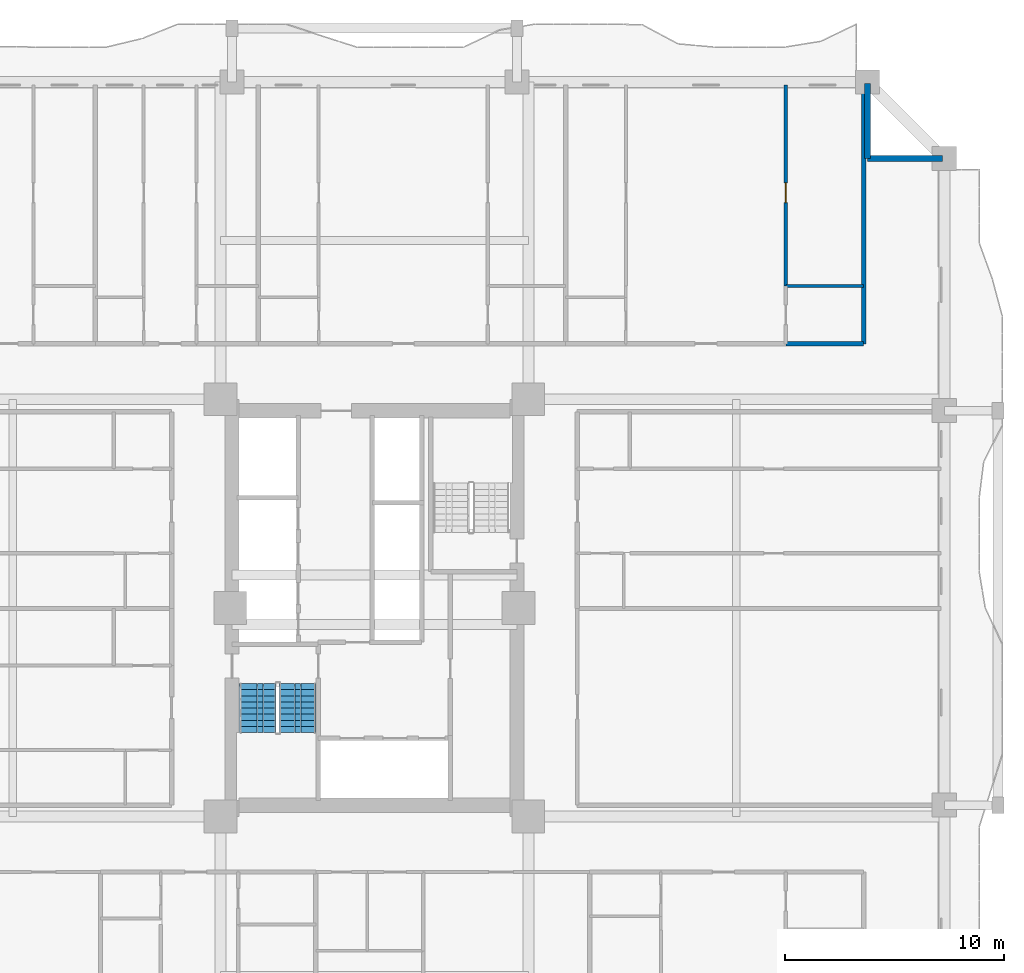
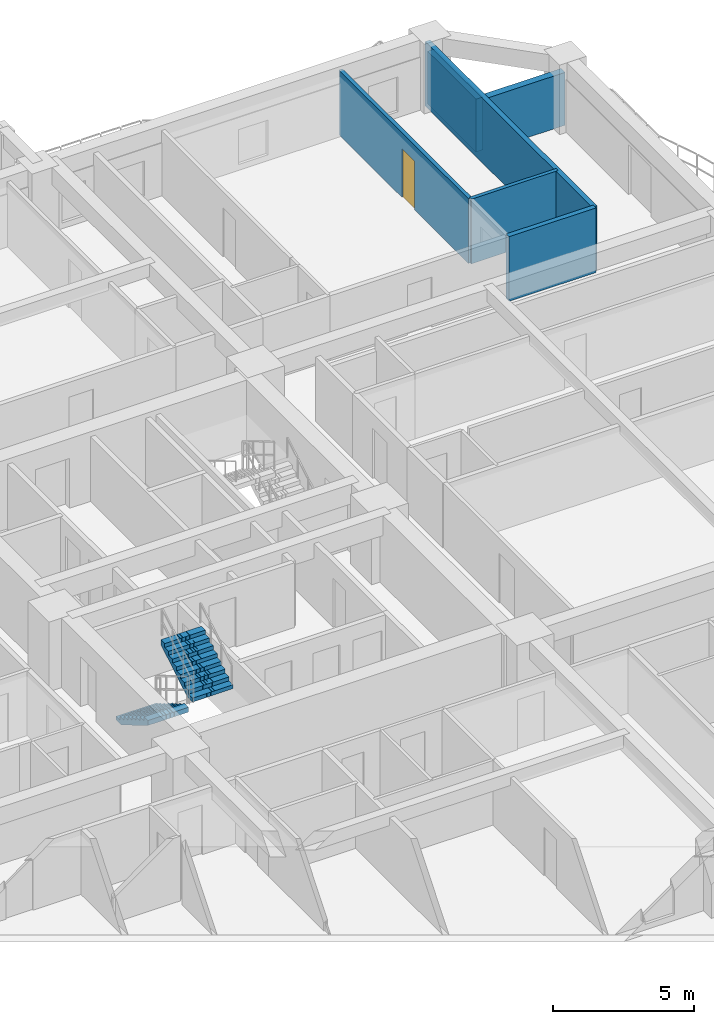
# One storey, part 8 of 15: 6 walls, 2 stair flights, 1 door, 1 opening, 1 element without a shape of its own.
"""IFC4 building model written with IfcOpenShell, lengths in metres."""

import ifcopenshell
import ifcopenshell.guid

model = None  # the IFC model being written
_history = None  # IfcOwnerHistory: only IFC2X3 demands one
_inside = {}  # id of a spatial element -> (the spatial element, [elements in it])
_under = {}  # id of a project, library or spatial element -> (it, [spatial elements below it])
_declared = {}  # id of a project -> (the project, [libraries it declares])
_typed = {}  # id of a type object -> (the type object, [elements of that type])
_made_of = {}  # id of a material, layer set ... -> (it, [elements and type objects made of it])


def new_model(schema):
    """Start an empty IFC model of exactly this schema.

    Asked for "IFC4X3", IfcOpenShell would pick the latest addendum, in which some entities
    have other attributes; the version numbers below select the first issue.
    IFC2X3 requires an IfcOwnerHistory on every rooted entity: one is made here for all.
    """
    global model, _history
    if schema == "IFC4X3":
        model = ifcopenshell.file(schema_version=(4, 3, 0, 0))
    else:
        model = ifcopenshell.file(schema=schema)
    _inside.clear()
    _under.clear()
    _declared.clear()
    _typed.clear()
    _made_of.clear()
    _history = None
    if model.schema == "IFC2X3":
        org = make("IfcOrganization", Name="unknown")
        user = make(
            "IfcPersonAndOrganization",
            ThePerson=make("IfcPerson", FamilyName="unknown"),
            TheOrganization=org,
        )
        app = make(
            "IfcApplication",
            ApplicationDeveloper=org,
            Version="unknown",
            ApplicationFullName="unknown",
            ApplicationIdentifier="unknown",
        )
        _history = make(
            "IfcOwnerHistory",
            OwningUser=user,
            OwningApplication=app,
            ChangeAction="ADDED",
            CreationDate=0,
        )
    return model


def make(cls, **values):
    """One entity of the class cls with the attributes given. An attribute that is None is left unset."""
    return model.create_entity(
        cls, **{name: value for name, value in values.items() if value is not None}
    )


def rooted(cls, **values):
    """An entity with a GlobalId (a new one), such as an element, a storey or a relation."""
    return make(cls, GlobalId=ifcopenshell.guid.new(), OwnerHistory=_history, **values)


def si_unit(unit_type, name, prefix=None):
    """IfcSIUnit, for example si_unit("LENGTHUNIT", "METRE", prefix="MILLI")."""
    return make("IfcSIUnit", UnitType=unit_type, Prefix=prefix, Name=name)


def assignment(units):
    """IfcUnitAssignment: the units of a project."""
    return None if units is None else make("IfcUnitAssignment", Units=units)


def point(xyz):
    """IfcCartesianPoint."""
    return None if xyz is None else make("IfcCartesianPoint", Coordinates=xyz)


def direction(xyz):
    """IfcDirection."""
    return None if xyz is None else make("IfcDirection", DirectionRatios=xyz)


def frame(location, z_axis=None, x_axis=None):
    """IfcAxis2Placement3D, a coordinate frame: its origin and axes. An axis left out is left unset."""
    return make(
        "IfcAxis2Placement3D",
        Location=point(location),
        Axis=direction(z_axis),
        RefDirection=direction(x_axis),
    )


def frame_2d(location, x_axis=None):
    """IfcAxis2Placement2D, a coordinate frame in the plane: its origin and x axis."""
    return make(
        "IfcAxis2Placement2D", Location=point(location), RefDirection=direction(x_axis)
    )


def origin():
    """The frame at (0, 0, 0) with its axes left unset."""
    return frame((0.0, 0.0, 0.0))


def place(relative_to, where):
    """IfcLocalPlacement: puts the frame where relative to a parent placement (None: the world)."""
    return make(
        "IfcLocalPlacement", PlacementRelTo=relative_to, RelativePlacement=where
    )


def context(
    kind, dimensions, precision=None, world=None, true_north=None, identifier=None
):
    """IfcGeometricRepresentationContext, for example the 3D "Model" context."""
    return make(
        "IfcGeometricRepresentationContext",
        ContextIdentifier=identifier,
        ContextType=kind,
        CoordinateSpaceDimension=dimensions,
        Precision=precision,
        WorldCoordinateSystem=world,
        TrueNorth=true_north,
    )


def subcontext(parent, identifier, kind, view, scale=None):
    """IfcGeometricRepresentationSubContext, for example "Body" below "Model"."""
    return make(
        "IfcGeometricRepresentationSubContext",
        ContextIdentifier=identifier,
        ContextType=kind,
        ParentContext=parent,
        TargetScale=scale,
        TargetView=view,
    )


def project(units=None, contexts=None):
    """IfcProject with its units and contexts."""
    return rooted(
        "IfcProject",
        Name="project",
        RepresentationContexts=contexts,
        UnitsInContext=assignment(units),
    )


def spatial(cls, under=None, at=None, **own):
    """A site, building, storey or space (cls), placed at a placement, below another one or the project."""
    s = rooted(cls, ObjectPlacement=at, **own)
    if under is not None:
        _under.setdefault(under.id(), (under, []))[1].append(s)
    return s


def polyline(points):
    """IfcPolyline through the points."""
    return make("IfcPolyline", Points=[point(p) for p in points])


def profile(cls, at=None, kind="AREA", **sizes):
    """A parametric profile (cls). Its sizes go by their IFC names, for example OverallWidth=200.0."""
    return make(cls, ProfileType=kind, Position=at, **sizes)


def rectangle(**sizes):
    """IfcRectangleProfileDef."""
    return profile("IfcRectangleProfileDef", **sizes)


def outline(outer, holes=None, kind="AREA"):
    """IfcArbitraryClosedProfileDef: a profile drawn as a closed curve; with holes, ...WithVoids."""
    if holes is None:
        return make("IfcArbitraryClosedProfileDef", ProfileType=kind, OuterCurve=outer)
    return make(
        "IfcArbitraryProfileDefWithVoids",
        ProfileType=kind,
        OuterCurve=outer,
        InnerCurves=holes,
    )


def extrude(swept, where, along, depth):
    """IfcExtrudedAreaSolid: the profile swept, set in the frame where, extruded along a direction by depth."""
    return make(
        "IfcExtrudedAreaSolid",
        SweptArea=swept,
        Position=where,
        ExtrudedDirection=direction(along),
        Depth=depth,
    )


def shape(context_of_items, identifier, shape_type, items):
    """IfcShapeRepresentation: the items that make up one representation, for example the "Body"."""
    return make(
        "IfcShapeRepresentation",
        ContextOfItems=context_of_items,
        RepresentationIdentifier=identifier,
        RepresentationType=shape_type,
        Items=items,
    )


def source(mapping_origin, context_of_items, identifier, shape_type, items):
    """IfcRepresentationMap: a shape defined once, which mapped items show again and again."""
    return make(
        "IfcRepresentationMap",
        MappingOrigin=mapping_origin,
        MappedRepresentation=shape(context_of_items, identifier, shape_type, items),
    )


def transform(
    local_origin,
    x_axis=None,
    y_axis=None,
    z_axis=None,
    scale=None,
    scale2=None,
    scale3=None,
    uniform=True,
):
    """IfcCartesianTransformationOperator3D, or its non-uniform kind. x_axis, y_axis, z_axis: its Axis1, 2, 3."""
    if uniform:
        return make(
            "IfcCartesianTransformationOperator3D",
            Axis1=direction(x_axis),
            Axis2=direction(y_axis),
            LocalOrigin=point(local_origin),
            Scale=scale,
            Axis3=direction(z_axis),
        )
    return make(
        "IfcCartesianTransformationOperator3DnonUniform",
        Axis1=direction(x_axis),
        Axis2=direction(y_axis),
        LocalOrigin=point(local_origin),
        Scale=scale,
        Axis3=direction(z_axis),
        Scale2=scale2,
        Scale3=scale3,
    )


def mapped(mapping_source, mapping_target):
    """IfcMappedItem: shows the shape of a source again, moved by a transform."""
    return make(
        "IfcMappedItem", MappingSource=mapping_source, MappingTarget=mapping_target
    )


def material(Name=None, Category=None):
    """IfcMaterial."""
    return make("IfcMaterial", Name=Name, Category=Category)


def layer(
    of_material, thickness, ventilated=None, Name=None, Category=None, Priority=None
):
    """IfcMaterialLayer: one layer of a wall or slab, of a material (None: an air gap)."""
    return make(
        "IfcMaterialLayer",
        Material=of_material,
        LayerThickness=thickness,
        IsVentilated=ventilated,
        Name=Name,
        Category=Category,
        Priority=Priority,
    )


def layer_set(layers, Name=None):
    """IfcMaterialLayerSet."""
    return make("IfcMaterialLayerSet", MaterialLayers=layers, LayerSetName=Name)


def made_of(thing, what):
    """Note that an element or type object is made of a material, layer set ...; save() writes the relation."""
    if what is not None:
        _made_of.setdefault(what.id(), (what, []))[1].append(thing)
    return thing


def type_object(cls, material=None, **own):
    """A type object (cls), such as IfcWallType, which elements share."""
    return made_of(rooted(cls, **own), material)


def element(
    cls,
    number,
    at=None,
    inside=None,
    cuts=None,
    type_object=None,
    material=None,
    context=None,
    identifier="Body",
    shape_type=None,
    held_by="IfcProductDefinitionShape",
    body=None,
    shapes=None,
    **own,
):
    """One element of the class cls, such as IfcWall. Its Tag is "e" and its number.

    at: its placement. inside: the storey or other place that contains it. cuts: it is an
    opening in that element (IfcRelVoidsElement). A single representation is given by context,
    identifier, shape_type and body (its items); several are given by shapes. held_by: the class
    of the entity that holds the representations. save() writes the other relations.
    """
    e = rooted(cls, Tag="e%d" % number, ObjectPlacement=at, **own)
    if body is not None:
        shapes = [shape(context, identifier, shape_type, body)]
    if shapes is not None:
        e.Representation = make(held_by, Representations=shapes)
    if inside is not None:
        _inside.setdefault(inside.id(), (inside, []))[1].append(e)
    if cuts is not None:
        rooted(
            "IfcRelVoidsElement", RelatingBuildingElement=cuts, RelatedOpeningElement=e
        )
    if type_object is not None:
        _typed.setdefault(type_object.id(), (type_object, []))[1].append(e)
    return made_of(e, material)


def fill(opening, filler):
    """IfcRelFillsElement: the door or window that sits in an opening."""
    return rooted(
        "IfcRelFillsElement",
        RelatingOpeningElement=opening,
        RelatedBuildingElement=filler,
    )


def aggregate(whole, parts):
    """IfcRelAggregates: a whole, such as a stair, and the parts it consists of."""
    return rooted("IfcRelAggregates", RelatingObject=whole, RelatedObjects=parts)


def save(model, path):
    """Write the relations noted so far, then the file.

    IfcRelAggregates (storeys below a building ...), IfcRelContainedInSpatialStructure (elements
    in a storey), IfcRelDefinesByType, IfcRelAssociatesMaterial and IfcRelDeclares: one each for
    every whole, place, type object, material and project.
    """
    for whole, parts in _under.values():
        aggregate(whole, parts)
    for where, things in _inside.values():
        rooted(
            "IfcRelContainedInSpatialStructure",
            RelatedElements=things,
            RelatingStructure=where,
        )
    for kind, things in _typed.values():
        rooted("IfcRelDefinesByType", RelatedObjects=things, RelatingType=kind)
    for what, things in _made_of.values():
        rooted("IfcRelAssociatesMaterial", RelatedObjects=things, RelatingMaterial=what)
    for by, libraries in _declared.values():
        rooted("IfcRelDeclares", RelatingContext=by, RelatedDefinitions=libraries)
    model.write(path)


model = new_model("IFC4")

# Units and contexts
model_context = context("Model", 3, precision=1e-05, world=origin(), true_north=direction((0.0, 1.0)))
body_context = subcontext(model_context, "Body", "Model", "MODEL_VIEW")
ifc_project = project(units=[si_unit("LENGTHUNIT", "METRE"), si_unit("AREAUNIT", "SQUARE_METRE"), si_unit("VOLUMEUNIT", "CUBIC_METRE"), si_unit("PLANEANGLEUNIT", "RADIAN"), si_unit("MASSUNIT", "GRAM", prefix="KILO")], contexts=[model_context])

# Site, building, storey
site_placement = place(None, origin())
site = spatial("IfcSite", under=ifc_project, at=site_placement, CompositionType="ELEMENT")
building_placement = place(site_placement, origin())
building = spatial("IfcBuilding", under=site, at=building_placement, Name="Saelheon Loggia Tower", CompositionType="ELEMENT")
storey_placement = place(building_placement, frame((0.0, 0.0, 46.39990234375)))
storey = spatial("IfcBuildingStorey", under=building, at=storey_placement, Name="L14", CompositionType="ELEMENT", Elevation=46.39990234375)

# Walls
ifc_material_1 = material(Name="Architectural Precast Concrete C40/50", Category="concrete")
ifc_layer_1 = layer(ifc_material_1, 0.280029296875)
ifc_layer_set_1 = layer_set([ifc_layer_1], Name="Architectural Precast Concrete C40/50")
wall_type_1 = type_object("IfcWallType", Name="Wall_Ext_Loggia_280", PredefinedType="SOLIDWALL", material=ifc_layer_set_1)
for number, where, z_axis, x_axis, name in (
    (1, (60.5, 47.5, 0.0), (0.0, 0.0, 1.0), (0.0, 1.0, 0.0), "L14 Corner Notch Precast Wall NE1"),
    (2, (60.5, 47.5, 0.0), (0.0, 0.0, 1.0), (1.0, 0.0, 0.0), "L14 Corner Notch Precast Wall NE2"),
):
    element("IfcWall", number, at=place(storey_placement, frame(where, z_axis=z_axis, x_axis=x_axis)), inside=storey, type_object=wall_type_1, Name=name, PredefinedType="SOLIDWALL", context=body_context, shape_type="SweptSolid", body=[
        extrude(rectangle(XDim=3.419921875, YDim=0.280029296875, at=frame_2d((1.7099609375, 0.0))), origin(), (0.0, 0.0, 1.0), 2.280029296875),
    ])
ifc_material_2 = material(Name="Lightweight Autoclaved Aerated Concrete Block and Acoustic Gypsum", Category="concrete")
ifc_layer_2 = layer(ifc_material_2, 0.14990234375)
ifc_layer_set_2 = layer_set([ifc_layer_2], Name="Lightweight Autoclaved Aerated Concrete Block and Acoustic Gypsum")
wall_type_2 = type_object("IfcWallType", Name="Wall_Part_150", PredefinedType="PARTITIONING", material=ifc_layer_set_2)
wall_1_placement = place(storey_placement, frame((56.77197265625, 41.68994140625, 0.0), z_axis=(0.0, 0.0, 1.0), x_axis=(1.0, 0.0, 0.0)))
element("IfcWall", 3, at=wall_1_placement, inside=storey, type_object=wall_type_2, Name="L14 N Partition V42", PredefinedType="PARTITIONING", context=body_context, shape_type="SweptSolid", body=[
    extrude(rectangle(XDim=3.548095703125, YDim=0.14990234375, at=frame_2d((1.77392578125, 0.0))), origin(), (0.0, 0.0, 1.0), 2.7900390625),
])

# Wall, opening, door
wall_2_placement = place(storey_placement, frame((56.77197265625, 41.68994140625, 0.0), z_axis=(0.0, 0.0, 1.0), x_axis=(0.0, 1.0, 0.0)))
wall_2 = element("IfcWall", 4, at=wall_2_placement, inside=storey, type_object=wall_type_2, Name="L14 N Partition U47", PredefinedType="PARTITIONING", context=body_context, shape_type="SweptSolid", body=[
    extrude(rectangle(XDim=9.16015625, YDim=0.14990234375, at=frame_2d((4.580078125, 0.0))), origin(), (0.0, 0.0, 1.0), 2.7900390625),
])
opening_placement = place(wall_2_placement, frame((3.805908203125, 0.0, 0.0)))
opening = element("IfcOpeningElement", 5, at=opening_placement, cuts=wall_2, Name="Opening D-IN2", PredefinedType="OPENING", context=body_context, shape_type="SweptSolid", body=[
    extrude(rectangle(XDim=0.89990234375, YDim=2.10009765625, at=frame_2d((0.449951171875, 1.050048828125))), frame((0.0, 0.0869140625, 0.0), z_axis=(0.0, -1.0, 0.0), x_axis=(1.0, 0.0, 0.0)), (0.0, 0.0, 1.0), 0.173828125),
])
ifc_material_3 = material(Name="Engineered Oak Flush Door", Category="timber")
door_type = type_object("IfcDoorType", Name="Door_Int_900", OperationType="NOTDEFINED", PredefinedType="DOOR", material=ifc_material_3)
shared_shape = source(origin(), body_context, "Body", "SweptSolid", [
    extrude(rectangle(XDim=0.89990234375, YDim=2.10009765625, at=frame_2d((0.449951171875, 1.050048828125))), frame((0.0, 0.02490234375, 0.0), z_axis=(0.0, -1.0, 0.0), x_axis=(1.0, 0.0, 0.0)), (0.0, 0.0, 1.0), 0.050048828125),
])
door_placement = place(opening_placement, origin())
door = element("IfcDoor", 6, at=door_placement, inside=storey, type_object=door_type, Name="Unit U06 Bedroom 1 Door", OperationType="SINGLE_SWING_LEFT", OverallHeight=2.10009765625, OverallWidth=0.89990234375, PredefinedType="DOOR", context=body_context, shape_type="MappedRepresentation", body=[
    mapped(shared_shape, transform((0.0, 0.0, 0.0), scale=1.0)),
])
fill(opening, door)

# Walls
ifc_material_4 = material(Name="Double Acoustic Stud and Fireboard Partition", Category="gypsum")
ifc_layer_3 = layer(ifc_material_4, 0.199951171875)
ifc_layer_set_3 = layer_set([ifc_layer_3], Name="Double Acoustic Stud and Fireboard Partition")
wall_type_3 = type_object("IfcWallType", Name="Wall_Party_200", PredefinedType="PARTITIONING", material=ifc_layer_set_3)
wall_3_placement = place(storey_placement, frame((60.320068359375, 39.050048828125, 0.0), z_axis=(0.0, 0.0, 1.0), x_axis=(0.0, 1.0, 0.0)))
element("IfcWall", 7, at=wall_3_placement, inside=storey, type_object=wall_type_3, Name="L14 N Partition U02", PredefinedType="PARTITIONING", context=body_context, shape_type="SweptSolid", body=[
    extrude(rectangle(XDim=11.800048828125, YDim=0.199951171875, at=frame_2d((5.89990234375, 0.0))), origin(), (0.0, 0.0, 1.0), 2.7900390625),
])
wall_4_placement = place(storey_placement, frame((56.77197265625, 39.050048828125, 0.0), z_axis=(0.0, 0.0, 1.0), x_axis=(1.0, 0.0, 0.0)))
element("IfcWall", 8, at=wall_4_placement, inside=storey, type_object=wall_type_3, Name="L14 N Partition V40", PredefinedType="PARTITIONING", context=body_context, shape_type="SweptSolid", body=[
    extrude(rectangle(XDim=3.548095703125, YDim=0.199951171875, at=frame_2d((1.77392578125, 0.0))), origin(), (0.0, 0.0, 1.0), 2.7900390625),
])

# Stair, stair flights
ifc_material_5 = material(Name="Concrete C40/50", Category="concrete")
stair_type = type_object("IfcStairType", Name="Stair_Escape_Core", PredefinedType="HALF_TURN_STAIR", material=ifc_material_5)
stair_placement = place(storey_placement, origin())
stair = element("IfcStair", 9, at=stair_placement, inside=storey, type_object=stair_type, Name="L14 Special Escape Stair ST1", PredefinedType="HALF_TURN_STAIR")
stair_flight_type = type_object("IfcStairFlightType", Name="StairFlight_Tower_1660", PredefinedType="STRAIGHT", material=ifc_material_5)
stair_flight_1_placement = place(storey_placement, frame((32.679931640625, 23.550048828125, 0.0), z_axis=(0.0, 0.0, 1.0), x_axis=(0.0, -1.0, 0.0)))
stair_flight_1 = element("IfcStairFlight", 10, at=stair_flight_1_placement, type_object=stair_flight_type, Name="ST1 flight 1", NumberOfRisers=9, NumberOfTreads=8, PredefinedType="STRAIGHT", RiserHeight=0.166666667, TreadLength=0.28, context=body_context, shape_type="SweptSolid", body=[
    extrude(outline(polyline([(0.0, 0.0), (0.0, 0.166748046875), (0.280029296875, 0.166748046875), (0.280029296875, 0.333251953125), (0.56005859375, 0.333251953125), (0.56005859375, 0.5), (0.840087890625, 0.5), (0.840087890625, 0.666748046875), (1.1201171875, 0.666748046875), (1.1201171875, 0.833251953125), (1.39990234375, 0.833251953125), (1.39990234375, 1.0), (1.679931640625, 1.0), (1.679931640625, 1.166748046875), (1.9599609375, 1.166748046875), (1.9599609375, 1.333251953125), (2.239990234375, 1.333251953125), (2.239990234375, 1.5), (2.239990234375, 1.1240234375), (0.351806640625, 0.0), (0.0, 0.0)])), frame((0.0, -0.2490234375, 0.0), z_axis=(0.0, -1.0, 0.0), x_axis=(1.0, 0.0, 0.0)), (0.0, 0.0, 1.0), 0.5810546875),
    extrude(outline(polyline([(0.0, 0.0), (0.0, 0.166748046875), (0.280029296875, 0.166748046875), (0.280029296875, 0.333251953125), (0.56005859375, 0.333251953125), (0.56005859375, 0.5), (0.840087890625, 0.5), (0.840087890625, 0.666748046875), (1.1201171875, 0.666748046875), (1.1201171875, 0.833251953125), (1.39990234375, 0.833251953125), (1.39990234375, 1.0), (1.679931640625, 1.0), (1.679931640625, 1.166748046875), (1.9599609375, 1.166748046875), (1.9599609375, 1.333251953125), (2.239990234375, 1.333251953125), (2.239990234375, 1.5), (2.239990234375, 1.1240234375), (0.351806640625, 0.0), (0.0, 0.0)])), frame((0.0, -0.194091796875, 0.0), z_axis=(0.0, -1.0, 0.0), x_axis=(1.0, 0.0, 0.0)), (0.0, 0.0, 1.0), 0.0498046875),
    extrude(outline(polyline([(0.0, 0.0), (0.0, 0.166748046875), (0.280029296875, 0.166748046875), (0.280029296875, 0.333251953125), (0.56005859375, 0.333251953125), (0.56005859375, 0.5), (0.840087890625, 0.5), (0.840087890625, 0.666748046875), (1.1201171875, 0.666748046875), (1.1201171875, 0.833251953125), (1.39990234375, 0.833251953125), (1.39990234375, 1.0), (1.679931640625, 1.0), (1.679931640625, 1.166748046875), (1.9599609375, 1.166748046875), (1.9599609375, 1.333251953125), (2.239990234375, 1.333251953125), (2.239990234375, 1.5), (2.239990234375, 1.1240234375), (0.351806640625, 0.0), (0.0, 0.0)])), frame((0.0, -0.139404296875, 0.0), z_axis=(0.0, -1.0, 0.0), x_axis=(1.0, 0.0, 0.0)), (0.0, 0.0, 1.0), 0.0498046875),
    extrude(outline(polyline([(0.0, 0.0), (0.0, 0.166748046875), (0.280029296875, 0.166748046875), (0.280029296875, 0.333251953125), (0.56005859375, 0.333251953125), (0.56005859375, 0.5), (0.840087890625, 0.5), (0.840087890625, 0.666748046875), (1.1201171875, 0.666748046875), (1.1201171875, 0.833251953125), (1.39990234375, 0.833251953125), (1.39990234375, 1.0), (1.679931640625, 1.0), (1.679931640625, 1.166748046875), (1.9599609375, 1.166748046875), (1.9599609375, 1.333251953125), (2.239990234375, 1.333251953125), (2.239990234375, 1.5), (2.239990234375, 1.1240234375), (0.351806640625, 0.0), (0.0, 0.0)])), frame((0.0, -0.084716796875, 0.0), z_axis=(0.0, -1.0, 0.0), x_axis=(1.0, 0.0, 0.0)), (0.0, 0.0, 1.0), 0.0498046875),
    extrude(outline(polyline([(0.0, 0.0), (0.0, 0.166748046875), (0.280029296875, 0.166748046875), (0.280029296875, 0.333251953125), (0.56005859375, 0.333251953125), (0.56005859375, 0.5), (0.840087890625, 0.5), (0.840087890625, 0.666748046875), (1.1201171875, 0.666748046875), (1.1201171875, 0.833251953125), (1.39990234375, 0.833251953125), (1.39990234375, 1.0), (1.679931640625, 1.0), (1.679931640625, 1.166748046875), (1.9599609375, 1.166748046875), (1.9599609375, 1.333251953125), (2.239990234375, 1.333251953125), (2.239990234375, 1.5), (2.239990234375, 1.1240234375), (0.351806640625, 0.0), (0.0, 0.0)])), frame((0.0, -0.02978515625, 0.0), z_axis=(0.0, -1.0, 0.0), x_axis=(1.0, 0.0, 0.0)), (0.0, 0.0, 1.0), 0.0498046875),
    extrude(outline(polyline([(0.0, 0.0), (0.0, 0.166748046875), (0.280029296875, 0.166748046875), (0.280029296875, 0.333251953125), (0.56005859375, 0.333251953125), (0.56005859375, 0.5), (0.840087890625, 0.5), (0.840087890625, 0.666748046875), (1.1201171875, 0.666748046875), (1.1201171875, 0.833251953125), (1.39990234375, 0.833251953125), (1.39990234375, 1.0), (1.679931640625, 1.0), (1.679931640625, 1.166748046875), (1.9599609375, 1.166748046875), (1.9599609375, 1.333251953125), (2.239990234375, 1.333251953125), (2.239990234375, 1.5), (2.239990234375, 1.1240234375), (0.351806640625, 0.0), (0.0, 0.0)])), frame((0.0, 0.02490234375, 0.0), z_axis=(0.0, -1.0, 0.0), x_axis=(1.0, 0.0, 0.0)), (0.0, 0.0, 1.0), 0.0498046875),
    extrude(outline(polyline([(0.0, 0.0), (0.0, 0.166748046875), (0.280029296875, 0.166748046875), (0.280029296875, 0.333251953125), (0.56005859375, 0.333251953125), (0.56005859375, 0.5), (0.840087890625, 0.5), (0.840087890625, 0.666748046875), (1.1201171875, 0.666748046875), (1.1201171875, 0.833251953125), (1.39990234375, 0.833251953125), (1.39990234375, 1.0), (1.679931640625, 1.0), (1.679931640625, 1.166748046875), (1.9599609375, 1.166748046875), (1.9599609375, 1.333251953125), (2.239990234375, 1.333251953125), (2.239990234375, 1.5), (2.239990234375, 1.1240234375), (0.351806640625, 0.0), (0.0, 0.0)])), frame((0.0, 0.07958984375, 0.0), z_axis=(0.0, -1.0, 0.0), x_axis=(1.0, 0.0, 0.0)), (0.0, 0.0, 1.0), 0.0498046875),
    extrude(outline(polyline([(0.0, 0.0), (0.0, 0.166748046875), (0.280029296875, 0.166748046875), (0.280029296875, 0.333251953125), (0.56005859375, 0.333251953125), (0.56005859375, 0.5), (0.840087890625, 0.5), (0.840087890625, 0.666748046875), (1.1201171875, 0.666748046875), (1.1201171875, 0.833251953125), (1.39990234375, 0.833251953125), (1.39990234375, 1.0), (1.679931640625, 1.0), (1.679931640625, 1.166748046875), (1.9599609375, 1.166748046875), (1.9599609375, 1.333251953125), (2.239990234375, 1.333251953125), (2.239990234375, 1.5), (2.239990234375, 1.1240234375), (0.351806640625, 0.0), (0.0, 0.0)])), frame((0.0, 0.134521484375, 0.0), z_axis=(0.0, -1.0, 0.0), x_axis=(1.0, 0.0, 0.0)), (0.0, 0.0, 1.0), 0.0498046875),
    extrude(outline(polyline([(0.0, 0.0), (0.0, 0.166748046875), (0.280029296875, 0.166748046875), (0.280029296875, 0.333251953125), (0.56005859375, 0.333251953125), (0.56005859375, 0.5), (0.840087890625, 0.5), (0.840087890625, 0.666748046875), (1.1201171875, 0.666748046875), (1.1201171875, 0.833251953125), (1.39990234375, 0.833251953125), (1.39990234375, 1.0), (1.679931640625, 1.0), (1.679931640625, 1.166748046875), (1.9599609375, 1.166748046875), (1.9599609375, 1.333251953125), (2.239990234375, 1.333251953125), (2.239990234375, 1.5), (2.239990234375, 1.1240234375), (0.351806640625, 0.0), (0.0, 0.0)])), frame((0.0, 0.189208984375, 0.0), z_axis=(0.0, -1.0, 0.0), x_axis=(1.0, 0.0, 0.0)), (0.0, 0.0, 1.0), 0.0498046875),
    extrude(outline(polyline([(0.0, 0.0), (0.0, 0.166748046875), (0.280029296875, 0.166748046875), (0.280029296875, 0.333251953125), (0.56005859375, 0.333251953125), (0.56005859375, 0.5), (0.840087890625, 0.5), (0.840087890625, 0.666748046875), (1.1201171875, 0.666748046875), (1.1201171875, 0.833251953125), (1.39990234375, 0.833251953125), (1.39990234375, 1.0), (1.679931640625, 1.0), (1.679931640625, 1.166748046875), (1.9599609375, 1.166748046875), (1.9599609375, 1.333251953125), (2.239990234375, 1.333251953125), (2.239990234375, 1.5), (2.239990234375, 1.1240234375), (0.351806640625, 0.0), (0.0, 0.0)])), frame((0.0, 0.243896484375, 0.0), z_axis=(0.0, -1.0, 0.0), x_axis=(1.0, 0.0, 0.0)), (0.0, 0.0, 1.0), 0.0498046875),
    extrude(outline(polyline([(0.0, 0.0), (0.0, 0.166748046875), (0.280029296875, 0.166748046875), (0.280029296875, 0.333251953125), (0.56005859375, 0.333251953125), (0.56005859375, 0.5), (0.840087890625, 0.5), (0.840087890625, 0.666748046875), (1.1201171875, 0.666748046875), (1.1201171875, 0.833251953125), (1.39990234375, 0.833251953125), (1.39990234375, 1.0), (1.679931640625, 1.0), (1.679931640625, 1.166748046875), (1.9599609375, 1.166748046875), (1.9599609375, 1.333251953125), (2.239990234375, 1.333251953125), (2.239990234375, 1.5), (2.239990234375, 1.1240234375), (0.351806640625, 0.0), (0.0, 0.0)])), frame((0.0, 0.830078125, 0.0), z_axis=(0.0, -1.0, 0.0), x_axis=(1.0, 0.0, 0.0)), (0.0, 0.0, 1.0), 0.5810546875),
])
stair_flight_2_placement = place(storey_placement, frame((34.5, 21.31005859375, 1.5), z_axis=(0.0, 0.0, 1.0), x_axis=(0.0, 1.0, 0.0)))
stair_flight_2 = element("IfcStairFlight", 11, at=stair_flight_2_placement, type_object=stair_flight_type, Name="ST1 flight 2", NumberOfRisers=9, NumberOfTreads=8, PredefinedType="STRAIGHT", RiserHeight=0.166666667, TreadLength=0.28, context=body_context, shape_type="SweptSolid", body=[
    extrude(outline(polyline([(0.0, 0.0), (0.0, 0.166748046875), (0.280029296875, 0.166748046875), (0.280029296875, 0.333251953125), (0.56005859375, 0.333251953125), (0.56005859375, 0.5), (0.840087890625, 0.5), (0.840087890625, 0.666748046875), (1.1201171875, 0.666748046875), (1.1201171875, 0.833251953125), (1.39990234375, 0.833251953125), (1.39990234375, 1.0), (1.679931640625, 1.0), (1.679931640625, 1.166748046875), (1.9599609375, 1.166748046875), (1.9599609375, 1.333251953125), (2.239990234375, 1.333251953125), (2.239990234375, 1.5), (2.239990234375, 1.1240234375), (0.351806640625, 0.0), (0.0, 0.0)])), frame((0.0, -0.2490234375, 0.0), z_axis=(0.0, -1.0, 0.0), x_axis=(1.0, 0.0, 0.0)), (0.0, 0.0, 1.0), 0.5810546875),
    extrude(outline(polyline([(0.0, 0.0), (0.0, 0.166748046875), (0.280029296875, 0.166748046875), (0.280029296875, 0.333251953125), (0.56005859375, 0.333251953125), (0.56005859375, 0.5), (0.840087890625, 0.5), (0.840087890625, 0.666748046875), (1.1201171875, 0.666748046875), (1.1201171875, 0.833251953125), (1.39990234375, 0.833251953125), (1.39990234375, 1.0), (1.679931640625, 1.0), (1.679931640625, 1.166748046875), (1.9599609375, 1.166748046875), (1.9599609375, 1.333251953125), (2.239990234375, 1.333251953125), (2.239990234375, 1.5), (2.239990234375, 1.1240234375), (0.351806640625, 0.0), (0.0, 0.0)])), frame((0.0, -0.194091796875, 0.0), z_axis=(0.0, -1.0, 0.0), x_axis=(1.0, 0.0, 0.0)), (0.0, 0.0, 1.0), 0.0498046875),
    extrude(outline(polyline([(0.0, 0.0), (0.0, 0.166748046875), (0.280029296875, 0.166748046875), (0.280029296875, 0.333251953125), (0.56005859375, 0.333251953125), (0.56005859375, 0.5), (0.840087890625, 0.5), (0.840087890625, 0.666748046875), (1.1201171875, 0.666748046875), (1.1201171875, 0.833251953125), (1.39990234375, 0.833251953125), (1.39990234375, 1.0), (1.679931640625, 1.0), (1.679931640625, 1.166748046875), (1.9599609375, 1.166748046875), (1.9599609375, 1.333251953125), (2.239990234375, 1.333251953125), (2.239990234375, 1.5), (2.239990234375, 1.1240234375), (0.351806640625, 0.0), (0.0, 0.0)])), frame((0.0, -0.139404296875, 0.0), z_axis=(0.0, -1.0, 0.0), x_axis=(1.0, 0.0, 0.0)), (0.0, 0.0, 1.0), 0.0498046875),
    extrude(outline(polyline([(0.0, 0.0), (0.0, 0.166748046875), (0.280029296875, 0.166748046875), (0.280029296875, 0.333251953125), (0.56005859375, 0.333251953125), (0.56005859375, 0.5), (0.840087890625, 0.5), (0.840087890625, 0.666748046875), (1.1201171875, 0.666748046875), (1.1201171875, 0.833251953125), (1.39990234375, 0.833251953125), (1.39990234375, 1.0), (1.679931640625, 1.0), (1.679931640625, 1.166748046875), (1.9599609375, 1.166748046875), (1.9599609375, 1.333251953125), (2.239990234375, 1.333251953125), (2.239990234375, 1.5), (2.239990234375, 1.1240234375), (0.351806640625, 0.0), (0.0, 0.0)])), frame((0.0, -0.084716796875, 0.0), z_axis=(0.0, -1.0, 0.0), x_axis=(1.0, 0.0, 0.0)), (0.0, 0.0, 1.0), 0.0498046875),
    extrude(outline(polyline([(0.0, 0.0), (0.0, 0.166748046875), (0.280029296875, 0.166748046875), (0.280029296875, 0.333251953125), (0.56005859375, 0.333251953125), (0.56005859375, 0.5), (0.840087890625, 0.5), (0.840087890625, 0.666748046875), (1.1201171875, 0.666748046875), (1.1201171875, 0.833251953125), (1.39990234375, 0.833251953125), (1.39990234375, 1.0), (1.679931640625, 1.0), (1.679931640625, 1.166748046875), (1.9599609375, 1.166748046875), (1.9599609375, 1.333251953125), (2.239990234375, 1.333251953125), (2.239990234375, 1.5), (2.239990234375, 1.1240234375), (0.351806640625, 0.0), (0.0, 0.0)])), frame((0.0, -0.02978515625, 0.0), z_axis=(0.0, -1.0, 0.0), x_axis=(1.0, 0.0, 0.0)), (0.0, 0.0, 1.0), 0.0498046875),
    extrude(outline(polyline([(0.0, 0.0), (0.0, 0.166748046875), (0.280029296875, 0.166748046875), (0.280029296875, 0.333251953125), (0.56005859375, 0.333251953125), (0.56005859375, 0.5), (0.840087890625, 0.5), (0.840087890625, 0.666748046875), (1.1201171875, 0.666748046875), (1.1201171875, 0.833251953125), (1.39990234375, 0.833251953125), (1.39990234375, 1.0), (1.679931640625, 1.0), (1.679931640625, 1.166748046875), (1.9599609375, 1.166748046875), (1.9599609375, 1.333251953125), (2.239990234375, 1.333251953125), (2.239990234375, 1.5), (2.239990234375, 1.1240234375), (0.351806640625, 0.0), (0.0, 0.0)])), frame((0.0, 0.02490234375, 0.0), z_axis=(0.0, -1.0, 0.0), x_axis=(1.0, 0.0, 0.0)), (0.0, 0.0, 1.0), 0.0498046875),
    extrude(outline(polyline([(0.0, 0.0), (0.0, 0.166748046875), (0.280029296875, 0.166748046875), (0.280029296875, 0.333251953125), (0.56005859375, 0.333251953125), (0.56005859375, 0.5), (0.840087890625, 0.5), (0.840087890625, 0.666748046875), (1.1201171875, 0.666748046875), (1.1201171875, 0.833251953125), (1.39990234375, 0.833251953125), (1.39990234375, 1.0), (1.679931640625, 1.0), (1.679931640625, 1.166748046875), (1.9599609375, 1.166748046875), (1.9599609375, 1.333251953125), (2.239990234375, 1.333251953125), (2.239990234375, 1.5), (2.239990234375, 1.1240234375), (0.351806640625, 0.0), (0.0, 0.0)])), frame((0.0, 0.07958984375, 0.0), z_axis=(0.0, -1.0, 0.0), x_axis=(1.0, 0.0, 0.0)), (0.0, 0.0, 1.0), 0.0498046875),
    extrude(outline(polyline([(0.0, 0.0), (0.0, 0.166748046875), (0.280029296875, 0.166748046875), (0.280029296875, 0.333251953125), (0.56005859375, 0.333251953125), (0.56005859375, 0.5), (0.840087890625, 0.5), (0.840087890625, 0.666748046875), (1.1201171875, 0.666748046875), (1.1201171875, 0.833251953125), (1.39990234375, 0.833251953125), (1.39990234375, 1.0), (1.679931640625, 1.0), (1.679931640625, 1.166748046875), (1.9599609375, 1.166748046875), (1.9599609375, 1.333251953125), (2.239990234375, 1.333251953125), (2.239990234375, 1.5), (2.239990234375, 1.1240234375), (0.351806640625, 0.0), (0.0, 0.0)])), frame((0.0, 0.134521484375, 0.0), z_axis=(0.0, -1.0, 0.0), x_axis=(1.0, 0.0, 0.0)), (0.0, 0.0, 1.0), 0.0498046875),
    extrude(outline(polyline([(0.0, 0.0), (0.0, 0.166748046875), (0.280029296875, 0.166748046875), (0.280029296875, 0.333251953125), (0.56005859375, 0.333251953125), (0.56005859375, 0.5), (0.840087890625, 0.5), (0.840087890625, 0.666748046875), (1.1201171875, 0.666748046875), (1.1201171875, 0.833251953125), (1.39990234375, 0.833251953125), (1.39990234375, 1.0), (1.679931640625, 1.0), (1.679931640625, 1.166748046875), (1.9599609375, 1.166748046875), (1.9599609375, 1.333251953125), (2.239990234375, 1.333251953125), (2.239990234375, 1.5), (2.239990234375, 1.1240234375), (0.351806640625, 0.0), (0.0, 0.0)])), frame((0.0, 0.189208984375, 0.0), z_axis=(0.0, -1.0, 0.0), x_axis=(1.0, 0.0, 0.0)), (0.0, 0.0, 1.0), 0.0498046875),
    extrude(outline(polyline([(0.0, 0.0), (0.0, 0.166748046875), (0.280029296875, 0.166748046875), (0.280029296875, 0.333251953125), (0.56005859375, 0.333251953125), (0.56005859375, 0.5), (0.840087890625, 0.5), (0.840087890625, 0.666748046875), (1.1201171875, 0.666748046875), (1.1201171875, 0.833251953125), (1.39990234375, 0.833251953125), (1.39990234375, 1.0), (1.679931640625, 1.0), (1.679931640625, 1.166748046875), (1.9599609375, 1.166748046875), (1.9599609375, 1.333251953125), (2.239990234375, 1.333251953125), (2.239990234375, 1.5), (2.239990234375, 1.1240234375), (0.351806640625, 0.0), (0.0, 0.0)])), frame((0.0, 0.243896484375, 0.0), z_axis=(0.0, -1.0, 0.0), x_axis=(1.0, 0.0, 0.0)), (0.0, 0.0, 1.0), 0.0498046875),
    extrude(outline(polyline([(0.0, 0.0), (0.0, 0.166748046875), (0.280029296875, 0.166748046875), (0.280029296875, 0.333251953125), (0.56005859375, 0.333251953125), (0.56005859375, 0.5), (0.840087890625, 0.5), (0.840087890625, 0.666748046875), (1.1201171875, 0.666748046875), (1.1201171875, 0.833251953125), (1.39990234375, 0.833251953125), (1.39990234375, 1.0), (1.679931640625, 1.0), (1.679931640625, 1.166748046875), (1.9599609375, 1.166748046875), (1.9599609375, 1.333251953125), (2.239990234375, 1.333251953125), (2.239990234375, 1.5), (2.239990234375, 1.1240234375), (0.351806640625, 0.0), (0.0, 0.0)])), frame((0.0, 0.830078125, 0.0), z_axis=(0.0, -1.0, 0.0), x_axis=(1.0, 0.0, 0.0)), (0.0, 0.0, 1.0), 0.5810546875),
])
aggregate(stair, [stair_flight_1, stair_flight_2])

save(model, "model.ifc")
